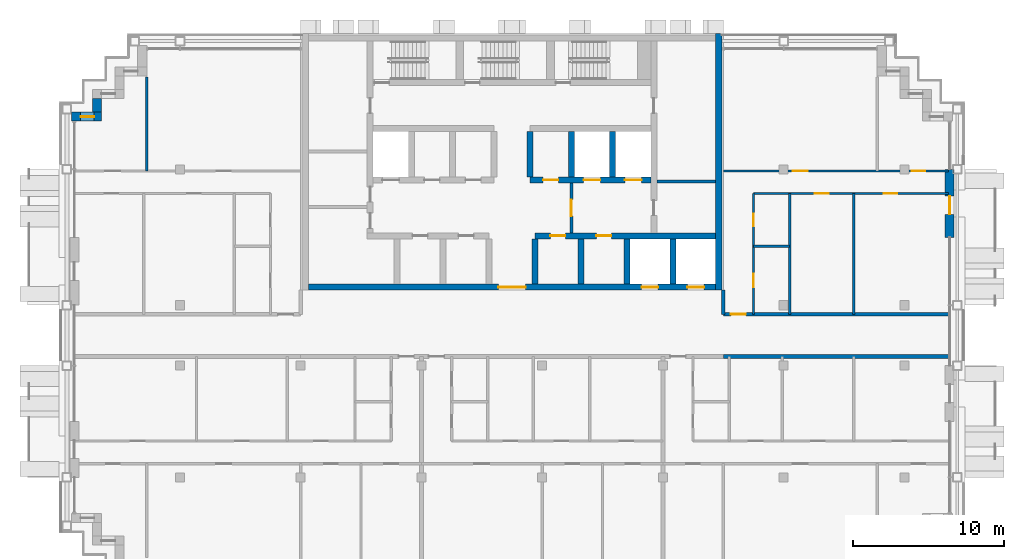
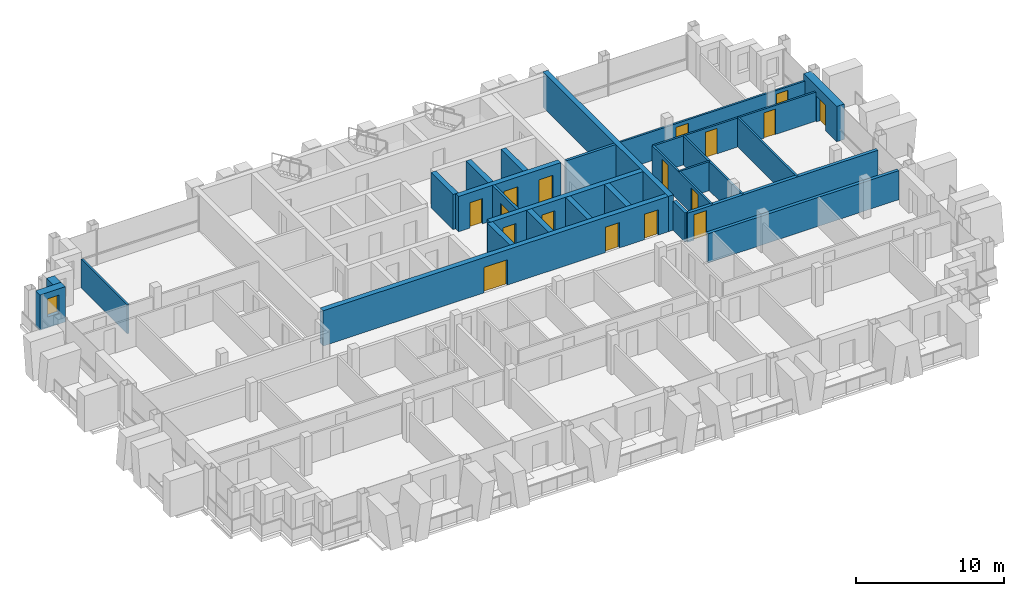
# One storey, part 10 of 15: 26 walls, 17 doors, 1 window, 18 openings.
"""IFC4 building model written with IfcOpenShell, lengths in metres."""

from ifc_helpers import new_model, si_unit, direction, frame, frame_2d, origin, place, context, subcontext, project, spatial, rectangle, extrude, material, layer, layer_set, type_object, element, fill, save


model = new_model("IFC4")

# Units and contexts
model_context = context("Model", 3, precision=1e-05, world=origin(), true_north=direction((0.0, 1.0)))
body_context = subcontext(model_context, "Body", "Model", "MODEL_VIEW")
ifc_project = project(units=[si_unit("LENGTHUNIT", "METRE"), si_unit("AREAUNIT", "SQUARE_METRE"), si_unit("VOLUMEUNIT", "CUBIC_METRE"), si_unit("PLANEANGLEUNIT", "RADIAN"), si_unit("MASSUNIT", "GRAM", prefix="KILO")], contexts=[model_context])

# Site, building, storey
site_placement = place(None, origin())
site = spatial("IfcSite", under=ifc_project, at=site_placement, CompositionType="ELEMENT")
building_placement = place(site_placement, origin())
building = spatial("IfcBuilding", under=site, at=building_placement, Name="Vidyagriha Tower", CompositionType="ELEMENT")
storey_placement = place(building_placement, frame((0.0, 0.0, 226.800048828125)))
storey = spatial("IfcBuildingStorey", under=building, at=storey_placement, Name="L59", CompositionType="ELEMENT", Elevation=226.800048828125)

# Wall
ifc_material_1 = material(Name="Precast concrete C40/50 with brick facing", Category="concrete")
ifc_layer_1 = layer(ifc_material_1, 0.60009765625)
ifc_layer_set_1 = layer_set([ifc_layer_1], Name="Precast concrete C40/50 with brick facing")
wall_type_1 = type_object("IfcWallType", Name="Brick-faced precast wall 600", PredefinedType="STANDARD", material=ifc_layer_set_1)
wall_1_placement = place(storey_placement, frame((-27.5, 15.699951171875, 0.0), z_axis=(0.0, 0.0, 1.0), x_axis=(0.0, -1.0, 0.0)))
element("IfcWall", 1, at=wall_1_placement, inside=storey, type_object=wall_type_1, Name="Stepped corner wall L59 R14", PredefinedType="STANDARD", context=body_context, shape_type="SweptSolid", body=[
    extrude(rectangle(XDim=0.89990234375, YDim=0.60009765625, at=frame_2d((0.449951171875, 0.0))), origin(), (0.0, 0.0, 1.0), 2.919921875),
])

# Wall, opening, window
wall_2_placement = place(storey_placement, frame((-27.199951171875, 14.5, 0.0), z_axis=(0.0, 0.0, 1.0), x_axis=(-1.0, 0.0, 0.0)))
wall_2 = element("IfcWall", 2, at=wall_2_placement, inside=storey, type_object=wall_type_1, Name="Stepped corner wall L59 R15", PredefinedType="STANDARD", context=body_context, shape_type="SweptSolid", body=[
    extrude(rectangle(XDim=2.0, YDim=0.60009765625, at=frame_2d((1.0, 0.0))), origin(), (0.0, 0.0, 1.0), 2.919921875),
])
opening_1_placement = place(wall_2_placement, frame((0.489990234375, 0.0, 0.89990234375)))
opening_1 = element("IfcOpeningElement", 3, at=opening_1_placement, cuts=wall_2, Name="Opening WN1", PredefinedType="OPENING", context=body_context, shape_type="SweptSolid", body=[
    extrude(rectangle(XDim=0.89990234375, YDim=1.5, at=frame_2d((0.449951171875, 0.75))), frame((0.0, 0.31005859375, 0.0), z_axis=(0.0, -1.0, 0.0), x_axis=(1.0, 0.0, 0.0)), (0.0, 0.0, 1.0), 0.6201171875),
])
ifc_material_2 = material(Name="Aluminium and glass window", Category="aluminium")
window_type = type_object("IfcWindowType", Name="Reveal window 900x1500", PartitioningType="NOTDEFINED", PredefinedType="WINDOW", material=ifc_material_2)
window_placement = place(opening_1_placement, origin())
window = element("IfcWindow", 4, at=window_placement, inside=storey, type_object=window_type, Name="Reveal window L59 R15", OverallHeight=1.5, OverallWidth=0.89990234375, PartitioningType="SINGLE_PANEL", PredefinedType="WINDOW", context=body_context, shape_type="SweptSolid", body=[
    extrude(rectangle(XDim=0.89990234375, YDim=1.5, at=frame_2d((0.449951171875, 0.75))), frame((0.0, 0.030029296875, 0.0), z_axis=(0.0, -1.0, 0.0), x_axis=(1.0, 0.0, 0.0)), (0.0, 0.0, 1.0), 0.06005859375),
])
fill(opening_1, window)

# Wall, opening, door
wall_3_placement = place(storey_placement, frame((29.0, 6.5, 0.0), z_axis=(0.0, 0.0, 1.0), x_axis=(0.0, 1.0, 0.0)))
wall_3 = element("IfcWall", 5, at=wall_3_placement, inside=storey, type_object=wall_type_1, Name="Brick door bay wall L59 R30.6", PredefinedType="STANDARD", context=body_context, shape_type="SweptSolid", body=[
    extrude(rectangle(XDim=4.5, YDim=0.60009765625, at=frame_2d((2.25, 0.0))), origin(), (0.0, 0.0, 1.0), 2.919921875),
])
opening_2_placement = place(wall_3_placement, frame((1.52490234375, 0.0, 0.0)))
opening_2 = element("IfcOpeningElement", 6, at=opening_2_placement, cuts=wall_3, Name="Opening D59-69", PredefinedType="OPENING", context=body_context, shape_type="SweptSolid", body=[
    extrude(rectangle(XDim=1.199951171875, YDim=2.10009765625, at=frame_2d((0.60009765625, 1.050048828125))), frame((0.0, 0.31005859375, 0.0), z_axis=(0.0, -1.0, 0.0), x_axis=(1.0, 0.0, 0.0)), (0.0, 0.0, 1.0), 0.6201171875),
])
ifc_material_3 = material(Name="Aluminium framed glazed sliding door", Category="aluminium")
door_type_1 = type_object("IfcDoorType", Name="Balcony sliding door 1200x2100", OperationType="NOTDEFINED", PredefinedType="DOOR", material=ifc_material_3)
door_1_placement = place(opening_2_placement, origin())
door_1 = element("IfcDoor", 7, at=door_1_placement, inside=storey, type_object=door_type_1, Name="Door D59-69", OperationType="SLIDING_TO_LEFT", OverallHeight=2.10009765625, OverallWidth=1.199951171875, PredefinedType="DOOR", context=body_context, shape_type="SweptSolid", body=[
    extrude(rectangle(XDim=1.199951171875, YDim=2.10009765625, at=frame_2d((0.60009765625, 1.050048828125))), frame((0.0, 0.02490234375, 0.0), z_axis=(0.0, -1.0, 0.0), x_axis=(1.0, 0.0, 0.0)), (0.0, 0.0, 1.0), 0.050048828125),
])
fill(opening_2, door_1)

# Wall
ifc_material_4 = material(Name="Concrete C60/75", Category="concrete")
ifc_layer_2 = layer(ifc_material_4, 0.39990234375)
ifc_layer_set_2 = layer_set([ifc_layer_2], Name="Concrete C60/75")
wall_type_2 = type_object("IfcWallType", Name="Core shear wall 400 mm", PredefinedType="SHEAR", material=ifc_layer_set_2)
wall_4_placement = place(storey_placement, frame((13.699951171875, 3.0, 0.0), z_axis=(0.0, 0.0, 1.0), x_axis=(0.0, 1.0, 0.0)))
element("IfcWall", 8, at=wall_4_placement, inside=storey, type_object=wall_type_2, Name="Core east wall", PredefinedType="SHEAR", context=body_context, shape_type="SweptSolid", body=[
    extrude(rectangle(XDim=17.0, YDim=0.39990234375, at=frame_2d((8.5, 0.0))), origin(), (0.0, 0.0, 1.0), 2.919921875),
])

# Wall, openings, doors
wall_5_placement = place(storey_placement, frame((-13.5, 3.199951171875, 0.0)))
wall_5 = element("IfcWall", 9, at=wall_5_placement, inside=storey, type_object=wall_type_2, Name="Core front wall", PredefinedType="SHEAR", context=body_context, shape_type="SweptSolid", body=[
    extrude(rectangle(XDim=27.0, YDim=0.39990234375, at=frame_2d((13.5, 0.0))), origin(), (0.0, 0.0, 1.0), 2.919921875),
])
opening_3_placement = place(wall_5_placement, frame((22.083251953125, 0.0, 0.0)))
opening_3 = element("IfcOpeningElement", 10, at=opening_3_placement, cuts=wall_5, Name="Opening LD59-01", PredefinedType="OPENING", context=body_context, shape_type="SweptSolid", body=[
    extrude(rectangle(XDim=1.10009765625, YDim=2.10009765625, at=frame_2d((0.550048828125, 1.050048828125))), frame((0.0, 0.2099609375, 0.0), z_axis=(0.0, -1.0, 0.0), x_axis=(1.0, 0.0, 0.0)), (0.0, 0.0, 1.0), 0.419921875),
])
opening_4_placement = place(wall_5_placement, frame((25.127685546875, 0.0, 0.0)))
opening_4 = element("IfcOpeningElement", 11, at=opening_4_placement, cuts=wall_5, Name="Opening LD59-02", PredefinedType="OPENING", context=body_context, shape_type="SweptSolid", body=[
    extrude(rectangle(XDim=1.10009765625, YDim=2.10009765625, at=frame_2d((0.550048828125, 1.050048828125))), frame((0.0, 0.2099609375, 0.0), z_axis=(0.0, -1.0, 0.0), x_axis=(1.0, 0.0, 0.0)), (0.0, 0.0, 1.0), 0.419921875),
])
opening_5_placement = place(wall_5_placement, frame((12.60009765625, 0.0, 0.0)))
opening_5 = element("IfcOpeningElement", 12, at=opening_5_placement, cuts=wall_5, Name="Opening D59-01", PredefinedType="OPENING", context=body_context, shape_type="SweptSolid", body=[
    extrude(rectangle(XDim=1.800048828125, YDim=2.10009765625, at=frame_2d((0.89990234375, 1.050048828125))), frame((0.0, 0.2099609375, 0.0), z_axis=(0.0, -1.0, 0.0), x_axis=(1.0, 0.0, 0.0)), (0.0, 0.0, 1.0), 0.419921875),
])
ifc_material_5 = material(Name="Hollow metal door leaf")
door_type_2 = type_object("IfcDoorType", Name="Core lobby double door 1800 x 2100 mm EI 60", OperationType="NOTDEFINED", PredefinedType="DOOR", material=ifc_material_5)
door_2_placement = place(opening_5_placement, frame((1.800048828125, 0.0, 0.0), z_axis=(0.0, 0.0, 1.0), x_axis=(-1.0, 0.0, 0.0)))
door_2 = element("IfcDoor", 13, at=door_2_placement, inside=storey, type_object=door_type_2, Name="Core entrance door L59", OperationType="DOUBLE_DOOR_SINGLE_SWING", OverallHeight=2.10009765625, OverallWidth=1.800048828125, PredefinedType="DOOR", context=body_context, shape_type="SweptSolid", body=[
    extrude(rectangle(XDim=1.800048828125, YDim=2.10009765625, at=frame_2d((0.89990234375, 1.050048828125))), frame((0.0, 0.02490234375, 0.0), z_axis=(0.0, -1.0, 0.0), x_axis=(1.0, 0.0, 0.0)), (0.0, 0.0, 1.0), 0.050048828125),
])
fill(opening_5, door_2)
ifc_material_6 = material(Name="Stainless steel sliding door panel", Category="steel")
door_type_3 = type_object("IfcDoorType", Name="Lift landing door 1100 x 2100 mm EI 90", OperationType="NOTDEFINED", PredefinedType="DOOR", material=ifc_material_6)
door_3_placement = place(opening_3_placement, origin())
door_3 = element("IfcDoor", 14, at=door_3_placement, inside=storey, type_object=door_type_3, Name="Landing door MR1 L59", OperationType="SLIDING_TO_LEFT", OverallHeight=2.10009765625, OverallWidth=1.10009765625, PredefinedType="DOOR", context=body_context, shape_type="SweptSolid", body=[
    extrude(rectangle(XDim=1.10009765625, YDim=2.10009765625, at=frame_2d((0.550048828125, 1.050048828125))), frame((0.0, 0.02490234375, 0.0), z_axis=(0.0, -1.0, 0.0), x_axis=(1.0, 0.0, 0.0)), (0.0, 0.0, 1.0), 0.050048828125),
])
fill(opening_3, door_3)
door_4_placement = place(opening_4_placement, origin())
door_4 = element("IfcDoor", 15, at=door_4_placement, inside=storey, type_object=door_type_3, Name="Landing door MR2 L59", OperationType="SLIDING_TO_LEFT", OverallHeight=2.10009765625, OverallWidth=1.10009765625, PredefinedType="DOOR", context=body_context, shape_type="SweptSolid", body=[
    extrude(rectangle(XDim=1.10009765625, YDim=2.10009765625, at=frame_2d((0.550048828125, 1.050048828125))), frame((0.0, 0.02490234375, 0.0), z_axis=(0.0, -1.0, 0.0), x_axis=(1.0, 0.0, 0.0)), (0.0, 0.0, 1.0), 0.050048828125),
])
fill(opening_4, door_4)

wall_6_placement = place(storey_placement, frame((1.522216796875, 6.60009765625, 0.0)))
wall_6 = element("IfcWall", 16, at=wall_6_placement, inside=storey, type_object=wall_type_2, Name="Core lobby south wall east", PredefinedType="SHEAR", context=body_context, shape_type="SweptSolid", body=[
    extrude(rectangle(XDim=11.977783203125, YDim=0.39990234375, at=frame_2d((5.98876953125, 0.0))), origin(), (0.0, 0.0, 1.0), 2.919921875),
])
opening_6_placement = place(wall_6_placement, frame((1.022216796875, 0.0, 0.0)))
opening_6 = element("IfcOpeningElement", 17, at=opening_6_placement, cuts=wall_6, Name="Opening D59-04", PredefinedType="OPENING", context=body_context, shape_type="SweptSolid", body=[
    extrude(rectangle(XDim=1.0, YDim=2.10009765625, at=frame_2d((0.5, 1.050048828125))), frame((0.0, 0.2099609375, 0.0), z_axis=(0.0, -1.0, 0.0), x_axis=(1.0, 0.0, 0.0)), (0.0, 0.0, 1.0), 0.419921875),
])
opening_7_placement = place(wall_6_placement, frame((4.066650390625, 0.0, 0.0)))
opening_7 = element("IfcOpeningElement", 18, at=opening_7_placement, cuts=wall_6, Name="Opening D59-05", PredefinedType="OPENING", context=body_context, shape_type="SweptSolid", body=[
    extrude(rectangle(XDim=1.0, YDim=2.10009765625, at=frame_2d((0.5, 1.050048828125))), frame((0.0, 0.2099609375, 0.0), z_axis=(0.0, -1.0, 0.0), x_axis=(1.0, 0.0, 0.0)), (0.0, 0.0, 1.0), 0.419921875),
])
ifc_material_7 = material(Name="Hollow metal door leaf")
door_type_4 = type_object("IfcDoorType", Name="Core room door 1000 x 2100 mm EI 60", OperationType="NOTDEFINED", PredefinedType="DOOR", material=ifc_material_7)
door_5_placement = place(opening_6_placement, origin())
door_5 = element("IfcDoor", 19, at=door_5_placement, inside=storey, type_object=door_type_4, Name="Door Electrical Room 59.03", OperationType="SINGLE_SWING_RIGHT", OverallHeight=2.10009765625, OverallWidth=1.0, PredefinedType="DOOR", context=body_context, shape_type="SweptSolid", body=[
    extrude(rectangle(XDim=1.0, YDim=2.10009765625, at=frame_2d((0.5, 1.050048828125))), frame((0.0, 0.02490234375, 0.0), z_axis=(0.0, -1.0, 0.0), x_axis=(1.0, 0.0, 0.0)), (0.0, 0.0, 1.0), 0.050048828125),
])
fill(opening_6, door_5)
door_6_placement = place(opening_7_placement, origin())
door_6 = element("IfcDoor", 20, at=door_6_placement, inside=storey, type_object=door_type_4, Name="Door Communications Room 59.04", OperationType="SINGLE_SWING_RIGHT", OverallHeight=2.10009765625, OverallWidth=1.0, PredefinedType="DOOR", context=body_context, shape_type="SweptSolid", body=[
    extrude(rectangle(XDim=1.0, YDim=2.10009765625, at=frame_2d((0.5, 1.050048828125))), frame((0.0, 0.02490234375, 0.0), z_axis=(0.0, -1.0, 0.0), x_axis=(1.0, 0.0, 0.0)), (0.0, 0.0, 1.0), 0.050048828125),
])
fill(opening_7, door_6)

# Walls
for number, where, z_axis, x_axis, name in (
    (21, (1.522216796875, 3.39990234375, 0.0), (0.0, 0.0, 1.0), (0.0, 1.0, 0.0), "Core bay wall S5"),
    (22, (4.566650390625, 3.39990234375, 0.0), (0.0, 0.0, 1.0), (0.0, 1.0, 0.0), "Core bay wall S6"),
    (23, (7.611083984375, 3.39990234375, 0.0), (0.0, 0.0, 1.0), (0.0, 1.0, 0.0), "Core bay wall S7"),
    (24, (10.655517578125, 3.39990234375, 0.0), (0.0, 0.0, 1.0), (0.0, 1.0, 0.0), "Core bay wall S8"),
):
    element("IfcWall", number, at=place(storey_placement, frame(where, z_axis=z_axis, x_axis=x_axis)), inside=storey, type_object=wall_type_2, Name=name, PredefinedType="SHEAR", context=body_context, shape_type="SweptSolid", body=[
        extrude(rectangle(XDim=3.0, YDim=0.39990234375, at=frame_2d((1.5, 0.0))), origin(), (0.0, 0.0, 1.0), 2.919921875),
    ])

# Wall, openings, doors
wall_7_placement = place(storey_placement, frame((1.199951171875, 10.300048828125, 0.0)))
wall_7 = element("IfcWall", 25, at=wall_7_placement, inside=storey, type_object=wall_type_2, Name="Core row N front wall", PredefinedType="SHEAR", context=body_context, shape_type="SweptSolid", body=[
    extrude(rectangle(XDim=8.0, YDim=0.39990234375, at=frame_2d((4.0, 0.0))), origin(), (0.0, 0.0, 1.0), 2.919921875),
])
opening_8_placement = place(wall_7_placement, frame((3.550048828125, 0.0, 0.0)))
opening_8 = element("IfcOpeningElement", 26, at=opening_8_placement, cuts=wall_7, Name="Opening LD59-04", PredefinedType="OPENING", context=body_context, shape_type="SweptSolid", body=[
    extrude(rectangle(XDim=1.10009765625, YDim=2.10009765625, at=frame_2d((0.550048828125, 1.050048828125))), frame((0.0, 0.2099609375, 0.0), z_axis=(0.0, -1.0, 0.0), x_axis=(1.0, 0.0, 0.0)), (0.0, 0.0, 1.0), 0.419921875),
])
opening_9_placement = place(wall_7_placement, frame((6.283203125, 0.0, 0.0)))
opening_9 = element("IfcOpeningElement", 27, at=opening_9_placement, cuts=wall_7, Name="Opening LD59-05", PredefinedType="OPENING", context=body_context, shape_type="SweptSolid", body=[
    extrude(rectangle(XDim=1.10009765625, YDim=2.10009765625, at=frame_2d((0.550048828125, 1.050048828125))), frame((0.0, 0.2099609375, 0.0), z_axis=(0.0, -1.0, 0.0), x_axis=(1.0, 0.0, 0.0)), (0.0, 0.0, 1.0), 0.419921875),
])
opening_10_placement = place(wall_7_placement, frame((0.86669921875, 0.0, 0.0)))
opening_10 = element("IfcOpeningElement", 28, at=opening_10_placement, cuts=wall_7, Name="Opening D59-08", PredefinedType="OPENING", context=body_context, shape_type="SweptSolid", body=[
    extrude(rectangle(XDim=1.0, YDim=2.10009765625, at=frame_2d((0.5, 1.050048828125))), frame((0.0, 0.2099609375, 0.0), z_axis=(0.0, -1.0, 0.0), x_axis=(1.0, 0.0, 0.0)), (0.0, 0.0, 1.0), 0.419921875),
])
door_7_placement = place(opening_10_placement, frame((1.0, 0.0, 0.0), z_axis=(0.0, 0.0, 1.0), x_axis=(-1.0, 0.0, 0.0)))
door_7 = element("IfcDoor", 29, at=door_7_placement, inside=storey, type_object=door_type_4, Name="Door Storage Room 59.16", OperationType="SINGLE_SWING_LEFT", OverallHeight=2.10009765625, OverallWidth=1.0, PredefinedType="DOOR", context=body_context, shape_type="SweptSolid", body=[
    extrude(rectangle(XDim=1.0, YDim=2.10009765625, at=frame_2d((0.5, 1.050048828125))), frame((0.0, 0.02490234375, 0.0), z_axis=(0.0, -1.0, 0.0), x_axis=(1.0, 0.0, 0.0)), (0.0, 0.0, 1.0), 0.050048828125),
])
fill(opening_10, door_7)
door_8_placement = place(opening_8_placement, origin())
door_8 = element("IfcDoor", 30, at=door_8_placement, inside=storey, type_object=door_type_3, Name="Landing door FF1 L59", OperationType="SLIDING_TO_LEFT", OverallHeight=2.10009765625, OverallWidth=1.10009765625, PredefinedType="DOOR", context=body_context, shape_type="SweptSolid", body=[
    extrude(rectangle(XDim=1.10009765625, YDim=2.10009765625, at=frame_2d((0.550048828125, 1.050048828125))), frame((0.0, 0.02490234375, 0.0), z_axis=(0.0, -1.0, 0.0), x_axis=(1.0, 0.0, 0.0)), (0.0, 0.0, 1.0), 0.050048828125),
])
fill(opening_8, door_8)
door_9_placement = place(opening_9_placement, origin())
door_9 = element("IfcDoor", 31, at=door_9_placement, inside=storey, type_object=door_type_3, Name="Landing door FF2 L59", OperationType="SLIDING_TO_LEFT", OverallHeight=2.10009765625, OverallWidth=1.10009765625, PredefinedType="DOOR", context=body_context, shape_type="SweptSolid", body=[
    extrude(rectangle(XDim=1.10009765625, YDim=2.10009765625, at=frame_2d((0.550048828125, 1.050048828125))), frame((0.0, 0.02490234375, 0.0), z_axis=(0.0, -1.0, 0.0), x_axis=(1.0, 0.0, 0.0)), (0.0, 0.0, 1.0), 0.050048828125),
])
fill(opening_9, door_9)

# Walls
for number, where, z_axis, x_axis, name in (
    (32, (1.199951171875, 10.5, 0.0), (0.0, 0.0, 1.0), (0.0, 1.0, 0.0), "Core bay wall N4"),
    (33, (3.933349609375, 10.5, 0.0), (0.0, 0.0, 1.0), (0.0, 1.0, 0.0), "Core bay wall N5"),
    (34, (6.666748046875, 10.5, 0.0), (0.0, 0.0, 1.0), (0.0, 1.0, 0.0), "Core bay wall N6"),
):
    element("IfcWall", number, at=place(storey_placement, frame(where, z_axis=z_axis, x_axis=x_axis)), inside=storey, type_object=wall_type_2, Name=name, PredefinedType="SHEAR", context=body_context, shape_type="SweptSolid", body=[
        extrude(rectangle(XDim=3.0, YDim=0.39990234375, at=frame_2d((1.5, 0.0))), origin(), (0.0, 0.0, 1.0), 2.919921875),
    ])
ifc_material_8 = material(Name="Fired clay brick masonry", Category="masonry")
ifc_layer_3 = layer(ifc_material_8, 0.25)
ifc_layer_set_3 = layer_set([ifc_layer_3], Name="Fired clay brick masonry")
wall_type_3 = type_object("IfcWallType", Name="Fired clay brick corridor wall 250", PredefinedType="PARTITIONING", material=ifc_layer_set_3)
wall_8_placement = place(storey_placement, frame((28.919921875, -1.39990234375, 0.0), z_axis=(0.0, 0.0, 1.0), x_axis=(-1.0, 0.0, 0.0)))
element("IfcWall", 35, at=wall_8_placement, inside=storey, type_object=wall_type_3, Name="Wall all-L59-w060", PredefinedType="PARTITIONING", context=body_context, shape_type="SweptSolid", body=[
    extrude(rectangle(XDim=14.919921875, YDim=0.25, at=frame_2d((7.4599609375, 0.0))), origin(), (0.0, 0.0, 1.0), 2.39990234375),
])

# Wall, opening, door
wall_9_placement = place(storey_placement, frame((14.0, 1.39990234375, 0.0)))
wall_9 = element("IfcWall", 36, at=wall_9_placement, inside=storey, type_object=wall_type_3, Name="Wall all-L59-w090", PredefinedType="PARTITIONING", context=body_context, shape_type="SweptSolid", body=[
    extrude(rectangle(XDim=14.919921875, YDim=0.25, at=frame_2d((7.4599609375, 0.0))), origin(), (0.0, 0.0, 1.0), 2.39990234375),
])
opening_11_placement = place(wall_9_placement, frame((0.5, 0.0, 0.0)))
opening_11 = element("IfcOpeningElement", 37, at=opening_11_placement, cuts=wall_9, Name="Opening D59-59", PredefinedType="OPENING", context=body_context, shape_type="SweptSolid", body=[
    extrude(rectangle(XDim=1.0, YDim=2.10009765625, at=frame_2d((0.5, 1.050048828125))), frame((0.0, 0.135009765625, 0.0), z_axis=(0.0, -1.0, 0.0), x_axis=(1.0, 0.0, 0.0)), (0.0, 0.0, 1.0), 0.27001953125),
])
ifc_material_9 = material(Name="Fire-rated timber door leaf EI 60", Category="wood")
door_type_5 = type_object("IfcDoorType", Name="Flat entrance fire door 1000x2100", OperationType="NOTDEFINED", PredefinedType="DOOR", material=ifc_material_9)
door_10_placement = place(opening_11_placement, origin())
door_10 = element("IfcDoor", 38, at=door_10_placement, inside=storey, type_object=door_type_5, Name="Door D59-59", OperationType="SINGLE_SWING_LEFT", OverallHeight=2.10009765625, OverallWidth=1.0, PredefinedType="DOOR", context=body_context, shape_type="SweptSolid", body=[
    extrude(rectangle(XDim=1.0, YDim=2.10009765625, at=frame_2d((0.5, 1.050048828125))), frame((0.0, 0.02490234375, 0.0), z_axis=(0.0, -1.0, 0.0), x_axis=(1.0, 0.0, 0.0)), (0.0, 0.0, 1.0), 0.050048828125),
])
fill(opening_11, door_10)

# Walls
wall_10_placement = place(storey_placement, frame((14.0, 1.39990234375, 0.0), z_axis=(0.0, 0.0, 1.0), x_axis=(0.0, 1.0, 0.0)))
element("IfcWall", 39, at=wall_10_placement, inside=storey, type_object=wall_type_3, Name="Wall all-L59-w093", PredefinedType="PARTITIONING", context=body_context, shape_type="SweptSolid", body=[
    extrude(rectangle(XDim=1.60009765625, YDim=0.25, at=frame_2d((0.800048828125, 0.0))), origin(), (0.0, 0.0, 1.0), 2.39990234375),
])
ifc_material_10 = material(Name="Gypsum board partition")
ifc_layer_4 = layer(ifc_material_10, 0.14990234375)
ifc_layer_set_4 = layer_set([ifc_layer_4], Name="Gypsum board partition")
wall_type_4 = type_object("IfcWallType", Name="Gypsum board partition 150", PredefinedType="PARTITIONING", material=ifc_layer_set_4)
wall_11_placement = place(storey_placement, frame((-24.199951171875, 17.1201171875, 0.0), z_axis=(0.0, 0.0, 1.0), x_axis=(0.0, -1.0, 0.0)))
element("IfcWall", 40, at=wall_11_placement, inside=storey, type_object=wall_type_4, Name="Wall all-L59-w073", PredefinedType="PARTITIONING", context=body_context, shape_type="SweptSolid", body=[
    extrude(rectangle(XDim=6.22021484375, YDim=0.14990234375, at=frame_2d((3.110107421875, 0.0))), origin(), (0.0, 0.0, 1.0), 2.39990234375),
])
wall_12_placement = place(storey_placement, frame((16.0, 5.89990234375, 0.0)))
element("IfcWall", 41, at=wall_12_placement, inside=storey, type_object=wall_type_4, Name="Wall all-L59-w079", PredefinedType="PARTITIONING", context=body_context, shape_type="SweptSolid", body=[
    extrude(rectangle(XDim=2.39990234375, YDim=0.14990234375, at=frame_2d((1.199951171875, 0.0))), origin(), (0.0, 0.0, 1.0), 2.39990234375),
])
for number, where, z_axis, x_axis, name in (
    (42, (18.39990234375, 9.39990234375, 0.0), (0.0, 0.0, 1.0), (0.0, -1.0, 0.0), "Wall all-L59-w080"),
    (43, (22.64990234375, 9.39990234375, 0.0), (0.0, 0.0, 1.0), (0.0, -1.0, 0.0), "Wall all-L59-w081"),
):
    element("IfcWall", number, at=place(storey_placement, frame(where, z_axis=z_axis, x_axis=x_axis)), inside=storey, type_object=wall_type_4, Name=name, PredefinedType="PARTITIONING", context=body_context, shape_type="SweptSolid", body=[
        extrude(rectangle(XDim=8.0, YDim=0.14990234375, at=frame_2d((4.0, 0.0))), origin(), (0.0, 0.0, 1.0), 2.39990234375),
    ])

# Wall, openings, doors
wall_13_placement = place(storey_placement, frame((28.909912109375, 9.39990234375, 0.0), z_axis=(0.0, 0.0, 1.0), x_axis=(-1.0, 0.0, 0.0)))
wall_13 = element("IfcWall", 44, at=wall_13_placement, inside=storey, type_object=wall_type_4, Name="Wall all-L59-w082", PredefinedType="PARTITIONING", context=body_context, shape_type="SweptSolid", body=[
    extrude(rectangle(XDim=12.909912109375, YDim=0.14990234375, at=frame_2d((6.455078125, 0.0))), origin(), (0.0, 0.0, 1.0), 2.39990234375),
])
opening_12_placement = place(wall_13_placement, frame((7.93505859375, 0.0, 0.0)))
opening_12 = element("IfcOpeningElement", 45, at=opening_12_placement, cuts=wall_13, Name="Opening D59-55", PredefinedType="OPENING", context=body_context, shape_type="SweptSolid", body=[
    extrude(rectangle(XDim=0.89990234375, YDim=2.10009765625, at=frame_2d((0.449951171875, 1.050048828125))), frame((0.0, 0.0849609375, 0.0), z_axis=(0.0, -1.0, 0.0), x_axis=(1.0, 0.0, 0.0)), (0.0, 0.0, 1.0), 0.169921875),
])
opening_13_placement = place(wall_13_placement, frame((3.385986328125, 0.0, 0.0)))
opening_13 = element("IfcOpeningElement", 46, at=opening_13_placement, cuts=wall_13, Name="Opening D59-56", PredefinedType="OPENING", context=body_context, shape_type="SweptSolid", body=[
    extrude(rectangle(XDim=0.89990234375, YDim=2.10009765625, at=frame_2d((0.449951171875, 1.050048828125))), frame((0.0, 0.0849609375, 0.0), z_axis=(0.0, -1.0, 0.0), x_axis=(1.0, 0.0, 0.0)), (0.0, 0.0, 1.0), 0.169921875),
])
ifc_material_11 = material(Name="Timber door leaf", Category="wood")
door_type_6 = type_object("IfcDoorType", Name="Room door 900x2100", OperationType="NOTDEFINED", PredefinedType="DOOR", material=ifc_material_11)
door_11_placement = place(opening_12_placement, origin())
door_11 = element("IfcDoor", 47, at=door_11_placement, inside=storey, type_object=door_type_6, Name="Door D59-55", OperationType="SINGLE_SWING_RIGHT", OverallHeight=2.10009765625, OverallWidth=0.89990234375, PredefinedType="DOOR", context=body_context, shape_type="SweptSolid", body=[
    extrude(rectangle(XDim=0.89990234375, YDim=2.10009765625, at=frame_2d((0.449951171875, 1.050048828125))), frame((0.0, 0.02490234375, 0.0), z_axis=(0.0, -1.0, 0.0), x_axis=(1.0, 0.0, 0.0)), (0.0, 0.0, 1.0), 0.050048828125),
])
fill(opening_12, door_11)
door_12_placement = place(opening_13_placement, origin())
door_12 = element("IfcDoor", 48, at=door_12_placement, inside=storey, type_object=door_type_6, Name="Door D59-56", OperationType="SINGLE_SWING_RIGHT", OverallHeight=2.10009765625, OverallWidth=0.89990234375, PredefinedType="DOOR", context=body_context, shape_type="SweptSolid", body=[
    extrude(rectangle(XDim=0.89990234375, YDim=2.10009765625, at=frame_2d((0.449951171875, 1.050048828125))), frame((0.0, 0.02490234375, 0.0), z_axis=(0.0, -1.0, 0.0), x_axis=(1.0, 0.0, 0.0)), (0.0, 0.0, 1.0), 0.050048828125),
])
fill(opening_13, door_12)

wall_14_placement = place(storey_placement, frame((14.0, 10.89990234375, 0.0)))
wall_14 = element("IfcWall", 49, at=wall_14_placement, inside=storey, type_object=wall_type_4, Name="Wall all-L59-w085", PredefinedType="PARTITIONING", context=body_context, shape_type="SweptSolid", body=[
    extrude(rectangle(XDim=14.909912109375, YDim=0.14990234375, at=frame_2d((7.455078125, 0.0))), origin(), (0.0, 0.0, 1.0), 2.39990234375),
])
opening_14_placement = place(wall_14_placement, frame((4.60009765625, 0.0, 0.0)))
opening_14 = element("IfcOpeningElement", 50, at=opening_14_placement, cuts=wall_14, Name="Opening D59-57", PredefinedType="OPENING", context=body_context, shape_type="SweptSolid", body=[
    extrude(rectangle(XDim=1.0, YDim=2.10009765625, at=frame_2d((0.5, 1.050048828125))), frame((0.0, 0.0849609375, 0.0), z_axis=(0.0, -1.0, 0.0), x_axis=(1.0, 0.0, 0.0)), (0.0, 0.0, 1.0), 0.169921875),
])
opening_15_placement = place(wall_14_placement, frame((12.47607421875, 0.0, 0.0)))
opening_15 = element("IfcOpeningElement", 51, at=opening_15_placement, cuts=wall_14, Name="Opening D59-58", PredefinedType="OPENING", context=body_context, shape_type="SweptSolid", body=[
    extrude(rectangle(XDim=0.89990234375, YDim=2.10009765625, at=frame_2d((0.449951171875, 1.050048828125))), frame((0.0, 0.0849609375, 0.0), z_axis=(0.0, -1.0, 0.0), x_axis=(1.0, 0.0, 0.0)), (0.0, 0.0, 1.0), 0.169921875),
])
ifc_material_12 = material(Name="Timber door leaf", Category="wood")
door_type_7 = type_object("IfcDoorType", Name="Room door 1000x2100", OperationType="NOTDEFINED", PredefinedType="DOOR", material=ifc_material_12)
door_13_placement = place(opening_14_placement, origin())
door_13 = element("IfcDoor", 52, at=door_13_placement, inside=storey, type_object=door_type_7, Name="Door D59-57", OperationType="SINGLE_SWING_RIGHT", OverallHeight=2.10009765625, OverallWidth=1.0, PredefinedType="DOOR", context=body_context, shape_type="SweptSolid", body=[
    extrude(rectangle(XDim=1.0, YDim=2.10009765625, at=frame_2d((0.5, 1.050048828125))), frame((0.0, 0.02490234375, 0.0), z_axis=(0.0, -1.0, 0.0), x_axis=(1.0, 0.0, 0.0)), (0.0, 0.0, 1.0), 0.050048828125),
])
fill(opening_14, door_13)
door_14_placement = place(opening_15_placement, origin())
door_14 = element("IfcDoor", 53, at=door_14_placement, inside=storey, type_object=door_type_6, Name="Door D59-58", OperationType="SINGLE_SWING_RIGHT", OverallHeight=2.10009765625, OverallWidth=0.89990234375, PredefinedType="DOOR", context=body_context, shape_type="SweptSolid", body=[
    extrude(rectangle(XDim=0.89990234375, YDim=2.10009765625, at=frame_2d((0.449951171875, 1.050048828125))), frame((0.0, 0.02490234375, 0.0), z_axis=(0.0, -1.0, 0.0), x_axis=(1.0, 0.0, 0.0)), (0.0, 0.0, 1.0), 0.050048828125),
])
fill(opening_15, door_14)

ifc_material_13 = material(Name="Moisture resistant gypsum board partition")
ifc_layer_5 = layer(ifc_material_13, 0.14990234375)
ifc_layer_set_5 = layer_set([ifc_layer_5], Name="Moisture resistant gypsum board partition")
wall_type_5 = type_object("IfcWallType", Name="Gypsum board wet-area partition 150", PredefinedType="PARTITIONING", material=ifc_layer_set_5)
wall_15_placement = place(storey_placement, frame((16.0, 9.39990234375, 0.0), z_axis=(0.0, 0.0, 1.0), x_axis=(0.0, -1.0, 0.0)))
wall_15 = element("IfcWall", 54, at=wall_15_placement, inside=storey, type_object=wall_type_5, Name="Wall all-L59-w076", PredefinedType="PARTITIONING", context=body_context, shape_type="SweptSolid", body=[
    extrude(rectangle(XDim=8.0, YDim=0.14990234375, at=frame_2d((4.0, 0.0))), origin(), (0.0, 0.0, 1.0), 2.39990234375),
])
opening_16_placement = place(wall_15_placement, frame((5.300048828125, 0.0, 0.0)))
opening_16 = element("IfcOpeningElement", 55, at=opening_16_placement, cuts=wall_15, Name="Opening D59-53", PredefinedType="OPENING", context=body_context, shape_type="SweptSolid", body=[
    extrude(rectangle(XDim=0.89990234375, YDim=2.10009765625, at=frame_2d((0.449951171875, 1.050048828125))), frame((0.0, 0.0849609375, 0.0), z_axis=(0.0, -1.0, 0.0), x_axis=(1.0, 0.0, 0.0)), (0.0, 0.0, 1.0), 0.169921875),
])
opening_17_placement = place(wall_15_placement, frame((1.35009765625, 0.0, 0.0)))
opening_17 = element("IfcOpeningElement", 56, at=opening_17_placement, cuts=wall_15, Name="Opening D59-54", PredefinedType="OPENING", context=body_context, shape_type="SweptSolid", body=[
    extrude(rectangle(XDim=0.800048828125, YDim=2.10009765625, at=frame_2d((0.39990234375, 1.050048828125))), frame((0.0, 0.0849609375, 0.0), z_axis=(0.0, -1.0, 0.0), x_axis=(1.0, 0.0, 0.0)), (0.0, 0.0, 1.0), 0.169921875),
])
ifc_material_14 = material(Name="Timber door leaf", Category="wood")
door_type_8 = type_object("IfcDoorType", Name="Bathroom door 800x2100", OperationType="NOTDEFINED", PredefinedType="DOOR", material=ifc_material_14)
door_15_placement = place(opening_17_placement, origin())
door_15 = element("IfcDoor", 57, at=door_15_placement, inside=storey, type_object=door_type_8, Name="Door D59-54", OperationType="SINGLE_SWING_RIGHT", OverallHeight=2.10009765625, OverallWidth=0.800048828125, PredefinedType="DOOR", context=body_context, shape_type="SweptSolid", body=[
    extrude(rectangle(XDim=0.800048828125, YDim=2.10009765625, at=frame_2d((0.39990234375, 1.050048828125))), frame((0.0, 0.02490234375, 0.0), z_axis=(0.0, -1.0, 0.0), x_axis=(1.0, 0.0, 0.0)), (0.0, 0.0, 1.0), 0.050048828125),
])
fill(opening_17, door_15)
ifc_material_15 = material(Name="Timber door leaf", Category="wood")
door_type_9 = type_object("IfcDoorType", Name="Kitchen door 900x2100", OperationType="NOTDEFINED", PredefinedType="DOOR", material=ifc_material_15)
door_16_placement = place(opening_16_placement, origin())
door_16 = element("IfcDoor", 58, at=door_16_placement, inside=storey, type_object=door_type_9, Name="Door D59-53", OperationType="SINGLE_SWING_LEFT", OverallHeight=2.10009765625, OverallWidth=0.89990234375, PredefinedType="DOOR", context=body_context, shape_type="SweptSolid", body=[
    extrude(rectangle(XDim=0.89990234375, YDim=2.10009765625, at=frame_2d((0.449951171875, 1.050048828125))), frame((0.0, 0.02490234375, 0.0), z_axis=(0.0, -1.0, 0.0), x_axis=(1.0, 0.0, 0.0)), (0.0, 0.0, 1.0), 0.050048828125),
])
fill(opening_16, door_16)

# Wall, opening, door
ifc_material_16 = material(Name="Blockwork 15 MPa", Category="masonry")
ifc_layer_6 = layer(ifc_material_16, 0.199951171875)
ifc_layer_set_6 = layer_set([ifc_layer_6], Name="Blockwork 15 MPa")
wall_type_6 = type_object("IfcWallType", Name="Service room partition 200 mm", PredefinedType="PARTITIONING", material=ifc_layer_set_6)
wall_16_placement = place(storey_placement, frame((3.933349609375, 6.800048828125, 0.0), z_axis=(0.0, 0.0, 1.0), x_axis=(0.0, 1.0, 0.0)))
wall_16 = element("IfcWall", 59, at=wall_16_placement, inside=storey, type_object=wall_type_6, Name="Fire-fighting lobby west wall", PredefinedType="PARTITIONING", context=body_context, shape_type="SweptSolid", body=[
    extrude(rectangle(XDim=3.300048828125, YDim=0.199951171875, at=frame_2d((1.64990234375, 0.0))), origin(), (0.0, 0.0, 1.0), 2.919921875),
])
opening_18_placement = place(wall_16_placement, frame((1.10009765625, 0.0, 0.0)))
opening_18 = element("IfcOpeningElement", 60, at=opening_18_placement, cuts=wall_16, Name="Opening D59-09", PredefinedType="OPENING", context=body_context, shape_type="SweptSolid", body=[
    extrude(rectangle(XDim=1.10009765625, YDim=2.10009765625, at=frame_2d((0.550048828125, 1.050048828125))), frame((0.0, 0.10986328125, 0.0), z_axis=(0.0, -1.0, 0.0), x_axis=(1.0, 0.0, 0.0)), (0.0, 0.0, 1.0), 0.219970703125),
])
ifc_material_17 = material(Name="Hollow metal door leaf")
door_type_10 = type_object("IfcDoorType", Name="Fire-fighting lobby door 1100 x 2100 mm EI 90", OperationType="NOTDEFINED", PredefinedType="DOOR", material=ifc_material_17)
door_17_placement = place(opening_18_placement, origin())
door_17 = element("IfcDoor", 61, at=door_17_placement, inside=storey, type_object=door_type_10, Name="Fire-fighting lobby door L59", OperationType="SINGLE_SWING_RIGHT", OverallHeight=2.10009765625, OverallWidth=1.10009765625, PredefinedType="DOOR", context=body_context, shape_type="SweptSolid", body=[
    extrude(rectangle(XDim=1.10009765625, YDim=2.10009765625, at=frame_2d((0.550048828125, 1.050048828125))), frame((0.0, 0.02490234375, 0.0), z_axis=(0.0, -1.0, 0.0), x_axis=(1.0, 0.0, 0.0)), (0.0, 0.0, 1.0), 0.050048828125),
])
fill(opening_18, door_17)

# Wall
wall_17_placement = place(storey_placement, frame((9.60009765625, 10.199951171875, 0.0)))
element("IfcWall", 62, at=wall_17_placement, inside=storey, type_object=wall_type_6, Name="Core room partition E1", PredefinedType="PARTITIONING", context=body_context, shape_type="SweptSolid", body=[
    extrude(rectangle(XDim=3.89990234375, YDim=0.199951171875, at=frame_2d((1.949951171875, 0.0))), origin(), (0.0, 0.0, 1.0), 2.919921875),
])

save(model, "model.ifc")
